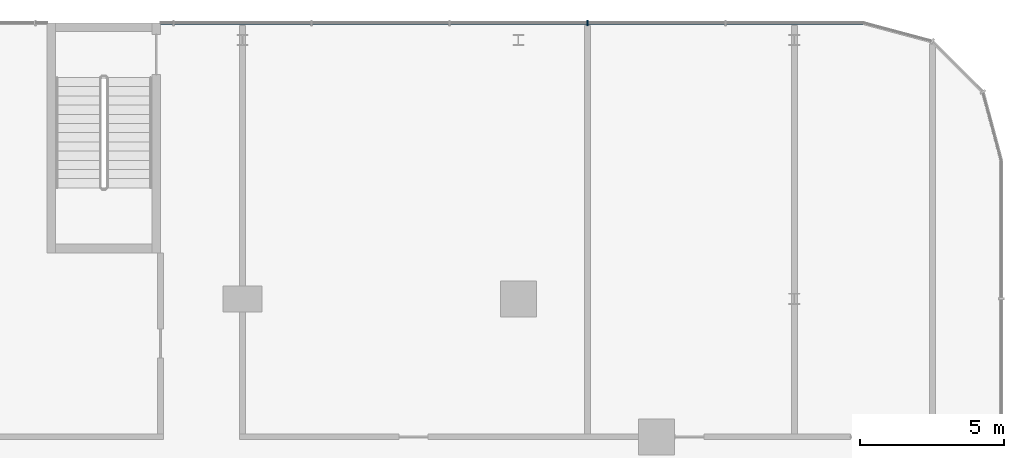
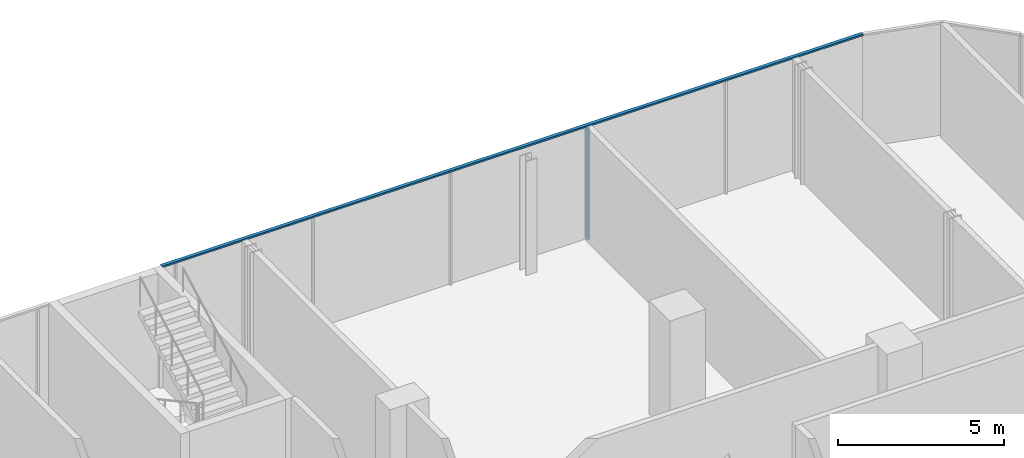
# One storey, part 20 of 45: 2 members, 1 element without a shape of its own.
"""IFC4 building model written with IfcOpenShell, lengths in metres."""

import ifcopenshell
import ifcopenshell.guid

model = None  # the IFC model being written
_history = None  # IfcOwnerHistory: only IFC2X3 demands one
_inside = {}  # id of a spatial element -> (the spatial element, [elements in it])
_under = {}  # id of a project, library or spatial element -> (it, [spatial elements below it])
_declared = {}  # id of a project -> (the project, [libraries it declares])
_typed = {}  # id of a type object -> (the type object, [elements of that type])
_made_of = {}  # id of a material, layer set ... -> (it, [elements and type objects made of it])


def new_model(schema):
    """Start an empty IFC model of exactly this schema.

    Asked for "IFC4X3", IfcOpenShell would pick the latest addendum, in which some entities
    have other attributes; the version numbers below select the first issue.
    IFC2X3 requires an IfcOwnerHistory on every rooted entity: one is made here for all.
    """
    global model, _history
    if schema == "IFC4X3":
        model = ifcopenshell.file(schema_version=(4, 3, 0, 0))
    else:
        model = ifcopenshell.file(schema=schema)
    _inside.clear()
    _under.clear()
    _declared.clear()
    _typed.clear()
    _made_of.clear()
    _history = None
    if model.schema == "IFC2X3":
        org = make("IfcOrganization", Name="unknown")
        user = make(
            "IfcPersonAndOrganization",
            ThePerson=make("IfcPerson", FamilyName="unknown"),
            TheOrganization=org,
        )
        app = make(
            "IfcApplication",
            ApplicationDeveloper=org,
            Version="unknown",
            ApplicationFullName="unknown",
            ApplicationIdentifier="unknown",
        )
        _history = make(
            "IfcOwnerHistory",
            OwningUser=user,
            OwningApplication=app,
            ChangeAction="ADDED",
            CreationDate=0,
        )
    return model


def make(cls, **values):
    """One entity of the class cls with the attributes given. An attribute that is None is left unset."""
    return model.create_entity(
        cls, **{name: value for name, value in values.items() if value is not None}
    )


def rooted(cls, **values):
    """An entity with a GlobalId (a new one), such as an element, a storey or a relation."""
    return make(cls, GlobalId=ifcopenshell.guid.new(), OwnerHistory=_history, **values)


def si_unit(unit_type, name, prefix=None):
    """IfcSIUnit, for example si_unit("LENGTHUNIT", "METRE", prefix="MILLI")."""
    return make("IfcSIUnit", UnitType=unit_type, Prefix=prefix, Name=name)


def assignment(units):
    """IfcUnitAssignment: the units of a project."""
    return None if units is None else make("IfcUnitAssignment", Units=units)


def point(xyz):
    """IfcCartesianPoint."""
    return None if xyz is None else make("IfcCartesianPoint", Coordinates=xyz)


def direction(xyz):
    """IfcDirection."""
    return None if xyz is None else make("IfcDirection", DirectionRatios=xyz)


def frame(location, z_axis=None, x_axis=None):
    """IfcAxis2Placement3D, a coordinate frame: its origin and axes. An axis left out is left unset."""
    return make(
        "IfcAxis2Placement3D",
        Location=point(location),
        Axis=direction(z_axis),
        RefDirection=direction(x_axis),
    )


def frame_2d(location, x_axis=None):
    """IfcAxis2Placement2D, a coordinate frame in the plane: its origin and x axis."""
    return make(
        "IfcAxis2Placement2D", Location=point(location), RefDirection=direction(x_axis)
    )


def origin():
    """The frame at (0, 0, 0) with its axes left unset."""
    return frame((0.0, 0.0, 0.0))


def origin_2d():
    """The frame at (0, 0) in the plane with its x axis left unset."""
    return frame_2d((0.0, 0.0))


def place(relative_to, where):
    """IfcLocalPlacement: puts the frame where relative to a parent placement (None: the world)."""
    return make(
        "IfcLocalPlacement", PlacementRelTo=relative_to, RelativePlacement=where
    )


def context(
    kind, dimensions, precision=None, world=None, true_north=None, identifier=None
):
    """IfcGeometricRepresentationContext, for example the 3D "Model" context."""
    return make(
        "IfcGeometricRepresentationContext",
        ContextIdentifier=identifier,
        ContextType=kind,
        CoordinateSpaceDimension=dimensions,
        Precision=precision,
        WorldCoordinateSystem=world,
        TrueNorth=true_north,
    )


def subcontext(parent, identifier, kind, view, scale=None):
    """IfcGeometricRepresentationSubContext, for example "Body" below "Model"."""
    return make(
        "IfcGeometricRepresentationSubContext",
        ContextIdentifier=identifier,
        ContextType=kind,
        ParentContext=parent,
        TargetScale=scale,
        TargetView=view,
    )


def project(units=None, contexts=None):
    """IfcProject with its units and contexts."""
    return rooted(
        "IfcProject",
        Name="project",
        RepresentationContexts=contexts,
        UnitsInContext=assignment(units),
    )


def spatial(cls, under=None, at=None, **own):
    """A site, building, storey or space (cls), placed at a placement, below another one or the project."""
    s = rooted(cls, ObjectPlacement=at, **own)
    if under is not None:
        _under.setdefault(under.id(), (under, []))[1].append(s)
    return s


def profile(cls, at=None, kind="AREA", **sizes):
    """A parametric profile (cls). Its sizes go by their IFC names, for example OverallWidth=200.0."""
    return make(cls, ProfileType=kind, Position=at, **sizes)


def rectangle(**sizes):
    """IfcRectangleProfileDef."""
    return profile("IfcRectangleProfileDef", **sizes)


def extrude(swept, where, along, depth):
    """IfcExtrudedAreaSolid: the profile swept, set in the frame where, extruded along a direction by depth."""
    return make(
        "IfcExtrudedAreaSolid",
        SweptArea=swept,
        Position=where,
        ExtrudedDirection=direction(along),
        Depth=depth,
    )


def shape(context_of_items, identifier, shape_type, items):
    """IfcShapeRepresentation: the items that make up one representation, for example the "Body"."""
    return make(
        "IfcShapeRepresentation",
        ContextOfItems=context_of_items,
        RepresentationIdentifier=identifier,
        RepresentationType=shape_type,
        Items=items,
    )


def material(Name=None, Category=None):
    """IfcMaterial."""
    return make("IfcMaterial", Name=Name, Category=Category)


def layer(
    of_material, thickness, ventilated=None, Name=None, Category=None, Priority=None
):
    """IfcMaterialLayer: one layer of a wall or slab, of a material (None: an air gap)."""
    return make(
        "IfcMaterialLayer",
        Material=of_material,
        LayerThickness=thickness,
        IsVentilated=ventilated,
        Name=Name,
        Category=Category,
        Priority=Priority,
    )


def layer_set(layers, Name=None):
    """IfcMaterialLayerSet."""
    return make("IfcMaterialLayerSet", MaterialLayers=layers, LayerSetName=Name)


def material_profile(
    of_material, cross_section, Name=None, Category=None, Priority=None
):
    """IfcMaterialProfile: a cross section and its material."""
    return make(
        "IfcMaterialProfile",
        Name=Name,
        Material=of_material,
        Profile=cross_section,
        Priority=Priority,
        Category=Category,
    )


def profile_set(profiles, Name=None, composite=None):
    """IfcMaterialProfileSet."""
    return make(
        "IfcMaterialProfileSet",
        Name=Name,
        MaterialProfiles=profiles,
        CompositeProfile=composite,
    )


def made_of(thing, what):
    """Note that an element or type object is made of a material, layer set ...; save() writes the relation."""
    if what is not None:
        _made_of.setdefault(what.id(), (what, []))[1].append(thing)
    return thing


def type_object(cls, material=None, **own):
    """A type object (cls), such as IfcWallType, which elements share."""
    return made_of(rooted(cls, **own), material)


def element(
    cls,
    number,
    at=None,
    inside=None,
    cuts=None,
    type_object=None,
    material=None,
    context=None,
    identifier="Body",
    shape_type=None,
    held_by="IfcProductDefinitionShape",
    body=None,
    shapes=None,
    **own,
):
    """One element of the class cls, such as IfcWall. Its Tag is "e" and its number.

    at: its placement. inside: the storey or other place that contains it. cuts: it is an
    opening in that element (IfcRelVoidsElement). A single representation is given by context,
    identifier, shape_type and body (its items); several are given by shapes. held_by: the class
    of the entity that holds the representations. save() writes the other relations.
    """
    e = rooted(cls, Tag="e%d" % number, ObjectPlacement=at, **own)
    if body is not None:
        shapes = [shape(context, identifier, shape_type, body)]
    if shapes is not None:
        e.Representation = make(held_by, Representations=shapes)
    if inside is not None:
        _inside.setdefault(inside.id(), (inside, []))[1].append(e)
    if cuts is not None:
        rooted(
            "IfcRelVoidsElement", RelatingBuildingElement=cuts, RelatedOpeningElement=e
        )
    if type_object is not None:
        _typed.setdefault(type_object.id(), (type_object, []))[1].append(e)
    return made_of(e, material)


def aggregate(whole, parts):
    """IfcRelAggregates: a whole, such as a stair, and the parts it consists of."""
    return rooted("IfcRelAggregates", RelatingObject=whole, RelatedObjects=parts)


def save(model, path):
    """Write the relations noted so far, then the file.

    IfcRelAggregates (storeys below a building ...), IfcRelContainedInSpatialStructure (elements
    in a storey), IfcRelDefinesByType, IfcRelAssociatesMaterial and IfcRelDeclares: one each for
    every whole, place, type object, material and project.
    """
    for whole, parts in _under.values():
        aggregate(whole, parts)
    for where, things in _inside.values():
        rooted(
            "IfcRelContainedInSpatialStructure",
            RelatedElements=things,
            RelatingStructure=where,
        )
    for kind, things in _typed.values():
        rooted("IfcRelDefinesByType", RelatedObjects=things, RelatingType=kind)
    for what, things in _made_of.values():
        rooted("IfcRelAssociatesMaterial", RelatedObjects=things, RelatingMaterial=what)
    for by, libraries in _declared.values():
        rooted("IfcRelDeclares", RelatingContext=by, RelatedDefinitions=libraries)
    model.write(path)


model = new_model("IFC4")

# Units and contexts
model_context = context("Model", 3, precision=1e-05, world=origin(), true_north=direction((0.0, 1.0)))
body_context = subcontext(model_context, "Body", "Model", "MODEL_VIEW")
ifc_project = project(units=[si_unit("LENGTHUNIT", "METRE"), si_unit("AREAUNIT", "SQUARE_METRE"), si_unit("VOLUMEUNIT", "CUBIC_METRE"), si_unit("PLANEANGLEUNIT", "RADIAN"), si_unit("MASSUNIT", "GRAM", prefix="KILO")], contexts=[model_context])

# Site, building, storey
site_placement = place(None, origin())
site = spatial("IfcSite", under=ifc_project, at=site_placement, CompositionType="ELEMENT")
building_placement = place(site_placement, origin())
building = spatial("IfcBuilding", under=site, at=building_placement, Name="Madar Terraces", CompositionType="ELEMENT")
storey_placement = place(building_placement, frame((0.0, 0.0, 6.0)))
storey = spatial("IfcBuildingStorey", under=building, at=storey_placement, Name="L01", CompositionType="ELEMENT", Elevation=6.0)

# Curtain wall, members
ifc_material_1 = material(Name="Glass, clear low-iron, with black aluminium frame", Category="aluminium")
ifc_layer = layer(ifc_material_1, 0.199951171875)
ifc_layer_set = layer_set([ifc_layer], Name="Facade curtain wall, shopfront glazing")
curtain_wall_type = type_object("IfcCurtainWallType", Name="Facade curtain wall, shopfront glazing", PredefinedType="NOTDEFINED", material=ifc_layer_set)
curtain_wall_placement = place(storey_placement, origin())
curtain_wall = element("IfcCurtainWall", 1, at=curtain_wall_placement, inside=storey, type_object=curtain_wall_type, Name="Outer skin curtain wall north bay 1", PredefinedType="NOTDEFINED")
ifc_material_2 = material(Name="Aluminium, black anodised", Category="aluminium")
ifc_material_profile_1 = material_profile(ifc_material_2, rectangle(XDim=0.199951171875, YDim=0.06005859375, at=origin_2d()), Name="Facade mullion 60x200")
ifc_profile_set_1 = profile_set([ifc_material_profile_1], Name="Aluminium, black anodised")
member_type_1 = type_object("IfcMemberType", Name="Facade mullion 60x200", PredefinedType="MULLION", material=ifc_profile_set_1)
member_1_placement = place(storey_placement, frame((55.199951171875, 57.60009765625, 0.0), z_axis=(0.0, 0.0, 1.0), x_axis=(0.0, -1.0, 0.0)))
member_1 = element("IfcMember", 2, at=member_1_placement, type_object=member_type_1, Name="Mullion 2", PredefinedType="MULLION", context=body_context, shape_type="SweptSolid", body=[
    extrude(rectangle(XDim=0.199951171875, YDim=0.06005859375, at=origin_2d()), origin(), (0.0, 0.0, 1.0), 4.139892578125),
])
ifc_material_3 = material(Name="Aluminium, black anodised", Category="aluminium")
ifc_material_profile_2 = material_profile(ifc_material_3, rectangle(XDim=0.1201171875, YDim=0.06005859375, at=origin_2d()), Name="Facade transom 60x120")
ifc_profile_set_2 = profile_set([ifc_material_profile_2], Name="Aluminium, black anodised")
member_type_2 = type_object("IfcMemberType", Name="Facade transom 60x120", PredefinedType="USERDEFINED", material=ifc_profile_set_2)
member_2_placement = place(storey_placement, frame((64.800048828125, 57.60009765625, 4.169921875), z_axis=(-1.0, 0.0, 0.0), x_axis=(0.0, -1.0, 0.0)))
member_2 = element("IfcMember", 3, at=member_2_placement, type_object=member_type_2, Name="Transom 1", ObjectType="TRANSOM", PredefinedType="USERDEFINED", context=body_context, shape_type="SweptSolid", body=[
    extrude(rectangle(XDim=0.1201171875, YDim=0.06005859375, at=origin_2d()), origin(), (0.0, 0.0, 1.0), 24.449951171875),
])
aggregate(curtain_wall, [member_1, member_2])

save(model, "model.ifc")
